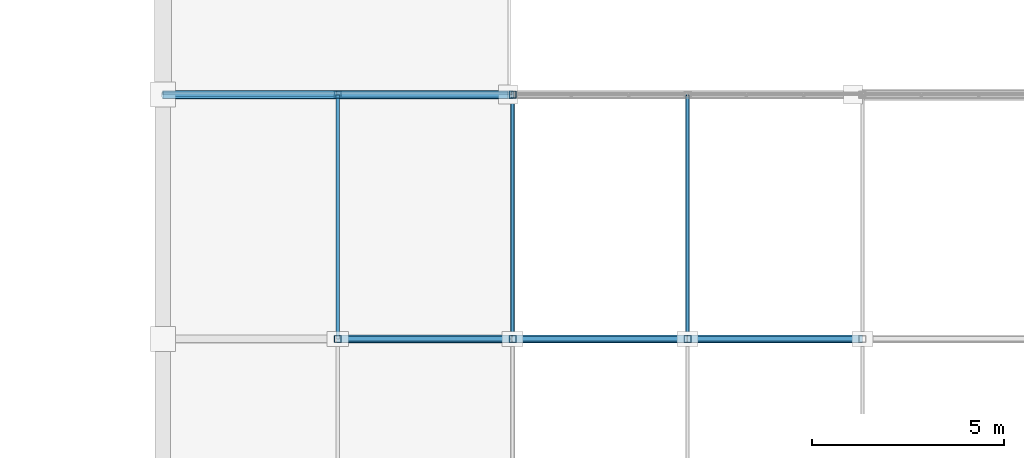
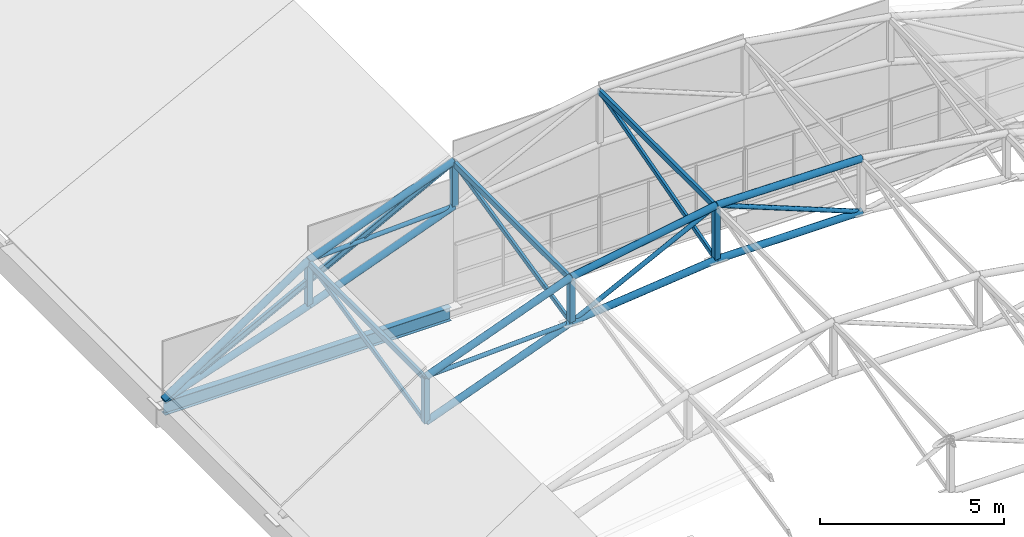
# One storey, part 54 of 101: 26 members, 1 beam.
"""IFC4 building model written with IfcOpenShell, lengths in metres."""

from ifc_helpers import new_model, si_unit, direction, frame, origin, origin_2d, place, context, subcontext, project, spatial, hollow_rectangle, hollow_circle, i_section, extrude, material, material_profile, profile_set, type_object, element, save


model = new_model("IFC4")

# Units and contexts
model_context = context("Model", 3, precision=1e-05, world=origin(), true_north=direction((0.0, 1.0)))
body_context = subcontext(model_context, "Body", "Model", "MODEL_VIEW")
ifc_project = project(units=[si_unit("LENGTHUNIT", "METRE"), si_unit("AREAUNIT", "SQUARE_METRE"), si_unit("VOLUMEUNIT", "CUBIC_METRE"), si_unit("PLANEANGLEUNIT", "RADIAN"), si_unit("MASSUNIT", "GRAM", prefix="KILO")], contexts=[model_context])

# Site, building, storey
site_placement = place(None, origin())
site = spatial("IfcSite", under=ifc_project, at=site_placement, CompositionType="ELEMENT")
building_placement = place(site_placement, origin())
building = spatial("IfcBuilding", under=site, at=building_placement, Name="Solvikara Media Centre", CompositionType="ELEMENT")
storey_placement = place(building_placement, frame((0.0, 0.0, 10.199951171875)))
storey = spatial("IfcBuildingStorey", under=building, at=storey_placement, Name="L02", CompositionType="ELEMENT", Elevation=10.199951171875)

# Beam
ifc_material = material(Name="Steel S355JR", Category="steel")
ifc_material_profile_1 = material_profile(ifc_material, i_section(OverallWidth=0.198974609375, OverallDepth=0.446044921875, WebThickness=0.008056640625, FlangeThickness=0.011962890625, at=origin_2d()), Name="H 446x199x8x12")
ifc_profile_set_1 = profile_set([ifc_material_profile_1], Name="Steel S355JR")
beam_type = type_object("IfcBeamType", Name="BM-43", PredefinedType="BEAM", material=ifc_profile_set_1)
beam_placement = place(storey_placement, frame((127.5, 72.0, -0.322998046875), z_axis=(1.0, 0.0, 0.0), x_axis=(0.0, 1.0, 0.0)))
element("IfcBeam", 1, at=beam_placement, inside=storey, type_object=beam_type, Name="B-L02-X0881", PredefinedType="BEAM", context=body_context, shape_type="SweptSolid", body=[
    extrude(i_section(OverallWidth=0.198974609375, OverallDepth=0.446044921875, WebThickness=0.008056640625, FlangeThickness=0.011962890625, at=origin_2d()), origin(), (0.0, 0.0, 1.0), 9.0),
])

# Members
ifc_material_profile_2 = material_profile(ifc_material, hollow_circle(Radius=0.109619140625, WallThickness=0.008056640625, at=origin_2d()), Name="CHS 219.1x8")
ifc_profile_set_2 = profile_set([ifc_material_profile_2], Name="Steel S355JR")
member_type_1 = type_object("IfcMemberType", Name="MB-05", PredefinedType="CHORD", material=ifc_profile_set_2)
for number, where, z_axis, x_axis, name in (
    (2, (132.06201171875, 65.625, 2.9580078125), (0.936407395887, 0.0, 0.350914788699), (0.0, 1.0, 0.0), "BSA-TC-03-01"),
    (3, (132.06201171875, 65.625, 1.4580078125), (0.936407395887, 0.0, 0.350914788699), (0.0, 1.0, 0.0), "BSA-BC-03-01"),
):
    element("IfcMember", number, at=place(storey_placement, frame(where, z_axis=z_axis, x_axis=x_axis)), inside=storey, type_object=member_type_1, Name=name, PredefinedType="CHORD", context=body_context, shape_type="SweptSolid", body=[
        extrude(hollow_circle(Radius=0.109619140625, WallThickness=0.008056640625, at=origin_2d()), origin(), (0.0, 0.0, 1.0), 4.872802734375),
    ])
member_1_placement = place(storey_placement, frame((136.625, 65.625, 4.66796875), z_axis=(0.98541075968, 0.0, 0.170192933775), x_axis=(0.0, 1.0, 0.0)))
element("IfcMember", 4, at=member_1_placement, inside=storey, type_object=member_type_1, Name="BSA-TC-03-02", PredefinedType="CHORD", context=body_context, shape_type="SweptSolid", body=[
    extrude(hollow_circle(Radius=0.109619140625, WallThickness=0.008056640625, at=origin_2d()), origin(), (0.0, 0.0, 1.0), 4.630615234375),
])
member_2_placement = place(storey_placement, frame((136.625, 65.625, 3.16796875), z_axis=(0.994463096743, 0.0, 0.105086389303), x_axis=(0.0, 1.0, 0.0)))
element("IfcMember", 5, at=member_2_placement, inside=storey, type_object=member_type_1, Name="BSA-BC-03-02", PredefinedType="CHORD", context=body_context, shape_type="SweptSolid", body=[
    extrude(hollow_circle(Radius=0.109619140625, WallThickness=0.008056640625, at=origin_2d()), origin(), (0.0, 0.0, 1.0), 4.58837890625),
])
member_3_placement = place(storey_placement, frame((141.18798828125, 65.625, 5.4560546875), z_axis=(0.999949391899, 0.0, -0.010060499073), x_axis=(0.0, 1.0, 0.0)))
element("IfcMember", 6, at=member_3_placement, inside=storey, type_object=member_type_1, Name="BSA-TC-03-03", PredefinedType="CHORD", context=body_context, shape_type="SweptSolid", body=[
    extrude(hollow_circle(Radius=0.109619140625, WallThickness=0.008056640625, at=origin_2d()), origin(), (0.0, 0.0, 1.0), 4.562255859375),
])
member_4_placement = place(storey_placement, frame((141.18798828125, 65.625, 3.650146484375), z_axis=(1.0, 0.0, 0.0), x_axis=(0.0, 1.0, 0.0)))
element("IfcMember", 7, at=member_4_placement, inside=storey, type_object=member_type_1, Name="BSA-BC-03-03", PredefinedType="CHORD", context=body_context, shape_type="SweptSolid", body=[
    extrude(hollow_circle(Radius=0.109619140625, WallThickness=0.008056640625, at=origin_2d()), origin(), (0.0, 0.0, 1.0), 4.56201171875),
])
member_5_placement = place(storey_placement, frame((127.5, 72.0, -0.06787109375), z_axis=(0.83335162007, 0.0, 0.55274322911), x_axis=(0.0, 1.0, 0.0)))
element("IfcMember", 8, at=member_5_placement, inside=storey, type_object=member_type_1, Name="BSA-TC-04-00", PredefinedType="CHORD", context=body_context, shape_type="SweptSolid", body=[
    extrude(hollow_circle(Radius=0.109619140625, WallThickness=0.008056640625, at=origin_2d()), origin(), (0.0, 0.0, 1.0), 5.474365234375),
])
member_6_placement = place(storey_placement, frame((127.5, 72.0, -0.099853515625), z_axis=(0.946343434254, 0.0, 0.323162659423), x_axis=(0.0, 1.0, 0.0)))
element("IfcMember", 9, at=member_6_placement, inside=storey, type_object=member_type_1, Name="BSA-BC-04-00", PredefinedType="CHORD", context=body_context, shape_type="SweptSolid", body=[
    extrude(hollow_circle(Radius=0.109619140625, WallThickness=0.008056640625, at=origin_2d()), origin(), (0.0, 0.0, 1.0), 4.820556640625),
])
for number, where, z_axis, x_axis, name in (
    (10, (132.06201171875, 72.0, 2.9580078125), (0.936407395887, 0.0, 0.350914788699), (0.0, 1.0, 0.0), "BSA-TC-04-01"),
    (11, (132.06201171875, 72.0, 1.4580078125), (0.936407395887, 0.0, 0.350914788699), (0.0, 1.0, 0.0), "BSA-BC-04-01"),
):
    element("IfcMember", number, at=place(storey_placement, frame(where, z_axis=z_axis, x_axis=x_axis)), inside=storey, type_object=member_type_1, Name=name, PredefinedType="CHORD", context=body_context, shape_type="SweptSolid", body=[
        extrude(hollow_circle(Radius=0.109619140625, WallThickness=0.008056640625, at=origin_2d()), origin(), (0.0, 0.0, 1.0), 4.872802734375),
    ])
ifc_material_profile_3 = material_profile(ifc_material, hollow_circle(Radius=0.06982421875, WallThickness=0.00634765625, at=origin_2d()), Name="CHS 139.7x6.3")
ifc_profile_set_3 = profile_set([ifc_material_profile_3], Name="Steel S355JR")
member_type_2 = type_object("IfcMemberType", Name="MB-08", PredefinedType="BRACE", material=ifc_profile_set_3)
member_7_placement = place(storey_placement, frame((132.06201171875, 65.625, 2.9580078125), z_axis=(0.998943038106, 0.0, 0.045965276232), x_axis=(0.0, 1.0, 0.0)))
element("IfcMember", 12, at=member_7_placement, inside=storey, type_object=member_type_2, Name="BSA-DG-03-01", PredefinedType="BRACE", context=body_context, shape_type="SweptSolid", body=[
    extrude(hollow_circle(Radius=0.06982421875, WallThickness=0.00634765625, at=origin_2d()), origin(), (0.0, 0.0, 1.0), 4.56787109375),
])
member_8_placement = place(storey_placement, frame((136.625, 65.625, 3.16796875), z_axis=(0.893910049242, 0.0, 0.448246387453), x_axis=(0.0, 1.0, 0.0)))
element("IfcMember", 13, at=member_8_placement, inside=storey, type_object=member_type_2, Name="BSA-DG-03-02", PredefinedType="BRACE", context=body_context, shape_type="SweptSolid", body=[
    extrude(hollow_circle(Radius=0.06982421875, WallThickness=0.00634765625, at=origin_2d()), origin(), (0.0, 0.0, 1.0), 5.1044921875),
])
member_9_placement = place(storey_placement, frame((141.18798828125, 65.625, 5.4560546875), z_axis=(0.929798808243, 0.0, -0.368068167857), x_axis=(0.0, 1.0, 0.0)))
element("IfcMember", 14, at=member_9_placement, inside=storey, type_object=member_type_2, Name="BSA-DG-03-03", PredefinedType="BRACE", context=body_context, shape_type="SweptSolid", body=[
    extrude(hollow_circle(Radius=0.06982421875, WallThickness=0.00634765625, at=origin_2d()), origin(), (0.0, 0.0, 1.0), 4.906494140625),
])
member_10_placement = place(storey_placement, frame((132.06201171875, 72.0, 2.9580078125), z_axis=(0.998943038106, 0.0, 0.045965276232), x_axis=(0.0, 1.0, 0.0)))
element("IfcMember", 15, at=member_10_placement, inside=storey, type_object=member_type_2, Name="BSA-DG-04-01", PredefinedType="BRACE", context=body_context, shape_type="SweptSolid", body=[
    extrude(hollow_circle(Radius=0.06982421875, WallThickness=0.00634765625, at=origin_2d()), origin(), (0.0, 0.0, 1.0), 4.56787109375),
])
ifc_material_profile_4 = material_profile(ifc_material, hollow_rectangle(XDim=0.179931640625, YDim=0.179931640625, WallThickness=0.008056640625, at=origin_2d()), Name="RHS 180x180x8")
ifc_profile_set_4 = profile_set([ifc_material_profile_4], Name="Steel S355JR")
member_type_3 = type_object("IfcMemberType", Name="MB-14", PredefinedType="BRACE", material=ifc_profile_set_4)
for number, where, z_axis, x_axis, name in (
    (16, (132.06201171875, 65.625, 1.4580078125), (0.0, 0.0, 1.0), (1.0, 0.0, 0.0), "BSA-VT-03-01"),
    (17, (136.625, 65.625, 3.16796875), (0.0, 0.0, 1.0), (1.0, 0.0, 0.0), "BSA-VT-03-02"),
):
    element("IfcMember", number, at=place(storey_placement, frame(where, z_axis=z_axis, x_axis=x_axis)), inside=storey, type_object=member_type_3, Name=name, PredefinedType="BRACE", context=body_context, shape_type="SweptSolid", body=[
        extrude(hollow_rectangle(XDim=0.179931640625, YDim=0.179931640625, WallThickness=0.008056640625, at=origin_2d()), origin(), (0.0, 0.0, 1.0), 1.5),
    ])
member_11_placement = place(storey_placement, frame((141.18798828125, 65.625, 3.650146484375), z_axis=(0.0, 0.0, 1.0), x_axis=(1.0, 0.0, 0.0)))
element("IfcMember", 18, at=member_11_placement, inside=storey, type_object=member_type_3, Name="BSA-VT-03-03", PredefinedType="BRACE", context=body_context, shape_type="SweptSolid", body=[
    extrude(hollow_rectangle(XDim=0.179931640625, YDim=0.179931640625, WallThickness=0.008056640625, at=origin_2d()), origin(), (0.0, 0.0, 1.0), 1.805908203125),
])
for number, where, z_axis, x_axis, name in (
    (19, (132.06201171875, 72.0, 1.4580078125), (0.0, 0.0, 1.0), (1.0, 0.0, 0.0), "BSA-VT-04-01"),
    (20, (136.625, 72.0, 3.16796875), (0.0, 0.0, 1.0), (1.0, 0.0, 0.0), "BSA-VT-04-02"),
):
    element("IfcMember", number, at=place(storey_placement, frame(where, z_axis=z_axis, x_axis=x_axis)), inside=storey, type_object=member_type_3, Name=name, PredefinedType="BRACE", context=body_context, shape_type="SweptSolid", body=[
        extrude(hollow_rectangle(XDim=0.179931640625, YDim=0.179931640625, WallThickness=0.008056640625, at=origin_2d()), origin(), (0.0, 0.0, 1.0), 1.5),
    ])
ifc_material_profile_5 = material_profile(ifc_material, hollow_rectangle(XDim=0.10009765625, YDim=0.179931640625, WallThickness=0.0048828125, at=origin_2d()), Name="RHS 180x100x5")
ifc_profile_set_5 = profile_set([ifc_material_profile_5], Name="Steel S355JR")
member_type_4 = type_object("IfcMemberType", Name="MB-18", PredefinedType="PURLIN", material=ifc_profile_set_5)
for number, where, z_axis, x_axis, name in (
    (21, (132.06201171875, 65.625, 2.89306640625), (0.0, 1.0, 0.0), (-1.0, 0.0, 0.0), "BSA-PRL-03-01"),
    (22, (136.625, 65.625, 4.60302734375), (0.0, 1.0, 0.0), (-1.0, 0.0, 0.0), "BSA-PRL-03-02"),
    (23, (141.18798828125, 65.625, 5.39111328125), (0.0, 1.0, 0.0), (-1.0, 0.0, 0.0), "BSA-PRL-03-03"),
):
    element("IfcMember", number, at=place(storey_placement, frame(where, z_axis=z_axis, x_axis=x_axis)), inside=storey, type_object=member_type_4, Name=name, PredefinedType="PURLIN", context=body_context, shape_type="SweptSolid", body=[
        extrude(hollow_rectangle(XDim=0.10009765625, YDim=0.179931640625, WallThickness=0.0048828125, at=origin_2d()), origin(), (0.0, 0.0, 1.0), 6.375),
    ])
ifc_material_profile_6 = material_profile(ifc_material, i_section(OverallWidth=0.10009765625, OverallDepth=0.199951171875, WebThickness=0.005615234375, FlangeThickness=0.008056640625, at=origin_2d()), Name="WF 200x100x5.5x8")
ifc_profile_set_6 = profile_set([ifc_material_profile_6], Name="Steel S355JR")
member_type_5 = type_object("IfcMemberType", Name="MB-21", PredefinedType="PURLIN", material=ifc_profile_set_6)
member_12_placement = place(storey_placement, frame((127.5, 72.0, -0.094970703125), z_axis=(0.886332205831, 0.0, 0.463049911895), x_axis=(0.0, 1.0, 0.0)))
element("IfcMember", 24, at=member_12_placement, inside=storey, type_object=member_type_5, Name="BSW-PRL-00", PredefinedType="PURLIN", context=body_context, shape_type="SweptSolid", body=[
    extrude(i_section(OverallWidth=0.10009765625, OverallDepth=0.199951171875, WebThickness=0.005615234375, FlangeThickness=0.008056640625, at=origin_2d()), origin(), (0.0, 0.0, 1.0), 10.154296875),
])
ifc_material_profile_7 = material_profile(ifc_material, hollow_rectangle(XDim=0.080078125, YDim=0.14990234375, WallThickness=0.0048828125, at=origin_2d()), Name="RHS 150x80x5")
ifc_profile_set_7 = profile_set([ifc_material_profile_7], Name="Steel S355JR")
member_type_6 = type_object("IfcMemberType", Name="MB-27", PredefinedType="PURLIN", material=ifc_profile_set_7)
for number, where, z_axis, x_axis, name in (
    (25, (132.06201171875, 65.625, 1.4580078125), (0.0, 0.9745939809, 0.223978955246), (-1.0, 0.0, 0.0), "BSA-3D-03-01"),
    (26, (136.625, 65.625, 3.16796875), (0.0, 0.9745939809, 0.223978955246), (-1.0, 0.0, 0.0), "BSA-3D-03-02"),
):
    element("IfcMember", number, at=place(storey_placement, frame(where, z_axis=z_axis, x_axis=x_axis)), inside=storey, type_object=member_type_6, Name=name, PredefinedType="PURLIN", context=body_context, shape_type="SweptSolid", body=[
        extrude(hollow_rectangle(XDim=0.080078125, YDim=0.14990234375, WallThickness=0.0048828125, at=origin_2d()), origin(), (0.0, 0.0, 1.0), 6.541259765625),
    ])
member_13_placement = place(storey_placement, frame((141.18798828125, 65.625, 3.650146484375), z_axis=(0.0, 0.96351156566, 0.26766670103), x_axis=(-1.0, 0.0, 0.0)))
element("IfcMember", 27, at=member_13_placement, inside=storey, type_object=member_type_6, Name="BSA-3D-03-03", PredefinedType="PURLIN", context=body_context, shape_type="SweptSolid", body=[
    extrude(hollow_rectangle(XDim=0.080078125, YDim=0.14990234375, WallThickness=0.0048828125, at=origin_2d()), origin(), (0.0, 0.0, 1.0), 6.616455078125),
])

save(model, "model.ifc")
